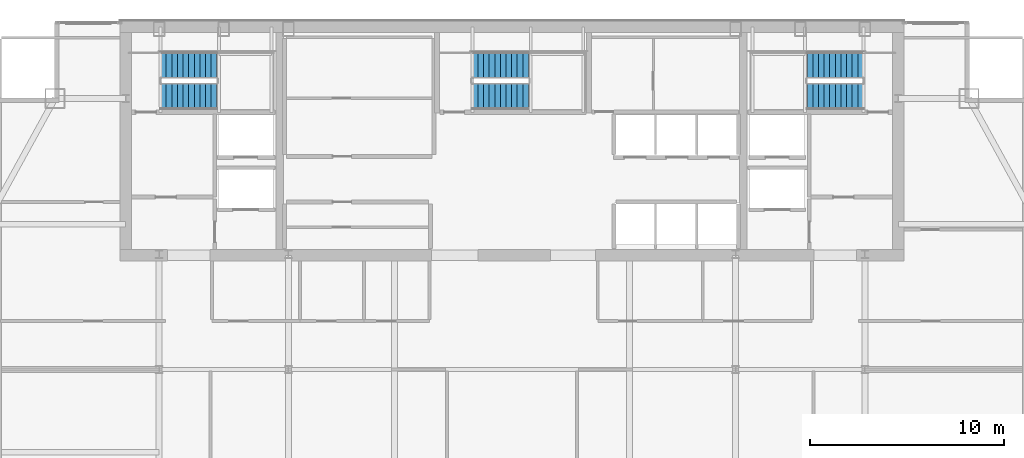
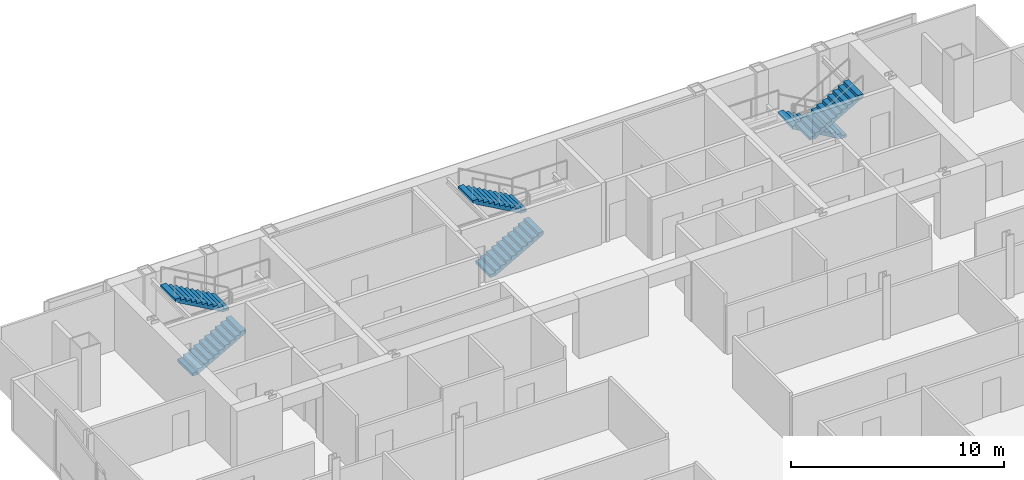
# One storey, part 27 of 29: 6 stair flights, 3 elements without a shape of their own.
"""IFC4 building model written with IfcOpenShell, lengths in metres."""

from ifc_helpers import new_model, si_unit, direction, frame, origin, place, context, subcontext, project, spatial, polyline, outline, extrude, material, type_object, element, aggregate, save


model = new_model("IFC4")

# Units and contexts
model_context = context("Model", 3, precision=1e-05, world=origin(), true_north=direction((0.0, 1.0)))
body_context = subcontext(model_context, "Body", "Model", "MODEL_VIEW")
ifc_project = project(units=[si_unit("LENGTHUNIT", "METRE"), si_unit("AREAUNIT", "SQUARE_METRE"), si_unit("VOLUMEUNIT", "CUBIC_METRE"), si_unit("PLANEANGLEUNIT", "RADIAN"), si_unit("MASSUNIT", "GRAM", prefix="KILO")], contexts=[model_context])

# Site, building, storey
site_placement = place(None, origin())
site = spatial("IfcSite", under=ifc_project, at=site_placement, CompositionType="ELEMENT")
building_placement = place(site_placement, origin())
building = spatial("IfcBuilding", under=site, at=building_placement, Name="Khoronbel Lancet Exchange", CompositionType="ELEMENT")
storey_placement = place(building_placement, frame((0.0, 0.0, 242.60009765625)))
storey = spatial("IfcBuildingStorey", under=building, at=storey_placement, Name="L62", CompositionType="ELEMENT", Elevation=242.60009765625)

# Stair, stair flights
ifc_material = material(Name="Concrete C40/50", Category="concrete")
stair_type = type_object("IfcStairType", Name="STR-CORE150", PredefinedType="HALF_TURN_STAIR", material=ifc_material)
stair_1_placement = place(storey_placement, origin())
stair_1 = element("IfcStair", 1, at=stair_1_placement, inside=storey, type_object=stair_type, Name="L62 Protected Exit Stair ST1", PredefinedType="HALF_TURN_STAIR")
stair_flight_type = type_object("IfcStairFlightType", Name="STF-150", PredefinedType="STRAIGHT", material=ifc_material)
stair_flight_1_placement = place(storey_placement, frame((18.300048828125, 49.81005859375, 0.0), z_axis=(0.0, 0.0, 1.0), x_axis=(1.0, 0.0, 0.0)))
stair_flight_1 = element("IfcStairFlight", 2, at=stair_flight_1_placement, type_object=stair_flight_type, Name="ST1 flight 1", NumberOfRisers=11, NumberOfTreads=10, PredefinedType="STRAIGHT", RiserHeight=0.163636364, TreadLength=0.29, context=body_context, shape_type="SweptSolid", body=[
    extrude(outline(polyline([(0.0, 0.0), (0.0, 0.16357421875), (0.2900390625, 0.16357421875), (0.2900390625, 0.327392578125), (0.580078125, 0.327392578125), (0.580078125, 0.490966796875), (0.8701171875, 0.490966796875), (0.8701171875, 0.654541015625), (1.159912109375, 0.654541015625), (1.159912109375, 0.818115234375), (1.449951171875, 0.818115234375), (1.449951171875, 0.98193359375), (1.739990234375, 0.98193359375), (1.739990234375, 1.1455078125), (2.030029296875, 1.1455078125), (2.030029296875, 1.30908203125), (2.320068359375, 1.30908203125), (2.320068359375, 1.47265625), (2.610107421875, 1.47265625), (2.610107421875, 1.636474609375), (2.89990234375, 1.636474609375), (2.89990234375, 1.800048828125), (2.89990234375, 1.46435546875), (0.304931640625, 0.0), (0.0, 0.0)])), frame((0.0, 0.68994140625, 0.0), z_axis=(0.0, -1.0, 0.0), x_axis=(1.0, 0.0, 0.0)), (0.0, 0.0, 1.0), 1.3798828125),
])
stair_flight_2_placement = place(storey_placement, frame((21.199951171875, 51.409912109375, 1.7998046875), z_axis=(0.0, 0.0, 1.0), x_axis=(-1.0, 0.0, 0.0)))
stair_flight_2 = element("IfcStairFlight", 3, at=stair_flight_2_placement, type_object=stair_flight_type, Name="ST1 flight 2", NumberOfRisers=11, NumberOfTreads=10, PredefinedType="STRAIGHT", RiserHeight=0.163636364, TreadLength=0.29, context=body_context, shape_type="SweptSolid", body=[
    extrude(outline(polyline([(0.0, 0.0), (0.0, 0.16357421875), (0.2900390625, 0.16357421875), (0.2900390625, 0.327392578125), (0.580078125, 0.327392578125), (0.580078125, 0.490966796875), (0.8701171875, 0.490966796875), (0.8701171875, 0.654541015625), (1.159912109375, 0.654541015625), (1.159912109375, 0.818115234375), (1.449951171875, 0.818115234375), (1.449951171875, 0.98193359375), (1.739990234375, 0.98193359375), (1.739990234375, 1.1455078125), (2.030029296875, 1.1455078125), (2.030029296875, 1.30908203125), (2.320068359375, 1.30908203125), (2.320068359375, 1.47265625), (2.610107421875, 1.47265625), (2.610107421875, 1.636474609375), (2.89990234375, 1.636474609375), (2.89990234375, 1.800048828125), (2.89990234375, 1.46435546875), (0.304931640625, 0.0), (0.0, 0.0)])), frame((0.0, 0.68994140625, 0.0), z_axis=(0.0, -1.0, 0.0), x_axis=(1.0, 0.0, 0.0)), (0.0, 0.0, 1.0), 1.3798828125),
])
aggregate(stair_1, [stair_flight_1, stair_flight_2])

stair_2_placement = place(storey_placement, origin())
stair_2 = element("IfcStair", 4, at=stair_2_placement, inside=storey, type_object=stair_type, Name="L62 Protected Exit Stair ST2", PredefinedType="HALF_TURN_STAIR")
stair_flight_3_placement = place(storey_placement, frame((54.60009765625, 51.409912109375, 0.0), z_axis=(0.0, 0.0, 1.0), x_axis=(-1.0, 0.0, 0.0)))
stair_flight_3 = element("IfcStairFlight", 5, at=stair_flight_3_placement, type_object=stair_flight_type, Name="ST2 flight 1", NumberOfRisers=11, NumberOfTreads=10, PredefinedType="STRAIGHT", RiserHeight=0.163636364, TreadLength=0.29, context=body_context, shape_type="SweptSolid", body=[
    extrude(outline(polyline([(0.0, 0.0), (0.0, 0.16357421875), (0.2900390625, 0.16357421875), (0.2900390625, 0.327392578125), (0.580078125, 0.327392578125), (0.580078125, 0.490966796875), (0.8701171875, 0.490966796875), (0.8701171875, 0.654541015625), (1.159912109375, 0.654541015625), (1.159912109375, 0.818115234375), (1.449951171875, 0.818115234375), (1.449951171875, 0.98193359375), (1.739990234375, 0.98193359375), (1.739990234375, 1.1455078125), (2.030029296875, 1.1455078125), (2.030029296875, 1.30908203125), (2.320068359375, 1.30908203125), (2.320068359375, 1.47265625), (2.610107421875, 1.47265625), (2.610107421875, 1.636474609375), (2.89990234375, 1.636474609375), (2.89990234375, 1.800048828125), (2.89990234375, 1.46435546875), (0.304931640625, 0.0), (0.0, 0.0)])), frame((0.0, 0.68994140625, 0.0), z_axis=(0.0, -1.0, 0.0), x_axis=(1.0, 0.0, 0.0)), (0.0, 0.0, 1.0), 1.3798828125),
])
stair_flight_4_placement = place(storey_placement, frame((51.699951171875, 49.81005859375, 1.7998046875), z_axis=(0.0, 0.0, 1.0), x_axis=(1.0, 0.0, 0.0)))
stair_flight_4 = element("IfcStairFlight", 6, at=stair_flight_4_placement, type_object=stair_flight_type, Name="ST2 flight 2", NumberOfRisers=11, NumberOfTreads=10, PredefinedType="STRAIGHT", RiserHeight=0.163636364, TreadLength=0.29, context=body_context, shape_type="SweptSolid", body=[
    extrude(outline(polyline([(0.0, 0.0), (0.0, 0.16357421875), (0.2900390625, 0.16357421875), (0.2900390625, 0.327392578125), (0.580078125, 0.327392578125), (0.580078125, 0.490966796875), (0.8701171875, 0.490966796875), (0.8701171875, 0.654541015625), (1.159912109375, 0.654541015625), (1.159912109375, 0.818115234375), (1.449951171875, 0.818115234375), (1.449951171875, 0.98193359375), (1.739990234375, 0.98193359375), (1.739990234375, 1.1455078125), (2.030029296875, 1.1455078125), (2.030029296875, 1.30908203125), (2.320068359375, 1.30908203125), (2.320068359375, 1.47265625), (2.610107421875, 1.47265625), (2.610107421875, 1.636474609375), (2.89990234375, 1.636474609375), (2.89990234375, 1.800048828125), (2.89990234375, 1.46435546875), (0.304931640625, 0.0), (0.0, 0.0)])), frame((0.0, 0.68994140625, 0.0), z_axis=(0.0, -1.0, 0.0), x_axis=(1.0, 0.0, 0.0)), (0.0, 0.0, 1.0), 1.3798828125),
])
aggregate(stair_2, [stair_flight_3, stair_flight_4])

stair_3_placement = place(storey_placement, origin())
stair_3 = element("IfcStair", 7, at=stair_3_placement, inside=storey, type_object=stair_type, Name="L62 Protected Exit Stair ST3", PredefinedType="HALF_TURN_STAIR")
stair_flight_5_placement = place(storey_placement, frame((34.39990234375, 49.81005859375, 0.0), z_axis=(0.0, 0.0, 1.0), x_axis=(1.0, 0.0, 0.0)))
stair_flight_5 = element("IfcStairFlight", 8, at=stair_flight_5_placement, type_object=stair_flight_type, Name="ST3 flight 1", NumberOfRisers=11, NumberOfTreads=10, PredefinedType="STRAIGHT", RiserHeight=0.163636364, TreadLength=0.29, context=body_context, shape_type="SweptSolid", body=[
    extrude(outline(polyline([(0.0, 0.0), (0.0, 0.16357421875), (0.2900390625, 0.16357421875), (0.2900390625, 0.327392578125), (0.580078125, 0.327392578125), (0.580078125, 0.490966796875), (0.8701171875, 0.490966796875), (0.8701171875, 0.654541015625), (1.159912109375, 0.654541015625), (1.159912109375, 0.818115234375), (1.449951171875, 0.818115234375), (1.449951171875, 0.98193359375), (1.739990234375, 0.98193359375), (1.739990234375, 1.1455078125), (2.030029296875, 1.1455078125), (2.030029296875, 1.30908203125), (2.320068359375, 1.30908203125), (2.320068359375, 1.47265625), (2.610107421875, 1.47265625), (2.610107421875, 1.636474609375), (2.89990234375, 1.636474609375), (2.89990234375, 1.800048828125), (2.89990234375, 1.46435546875), (0.304931640625, 0.0), (0.0, 0.0)])), frame((0.0, 0.68994140625, 0.0), z_axis=(0.0, -1.0, 0.0), x_axis=(1.0, 0.0, 0.0)), (0.0, 0.0, 1.0), 1.3798828125),
])
stair_flight_6_placement = place(storey_placement, frame((37.300048828125, 51.409912109375, 1.7998046875), z_axis=(0.0, 0.0, 1.0), x_axis=(-1.0, 0.0, 0.0)))
stair_flight_6 = element("IfcStairFlight", 9, at=stair_flight_6_placement, type_object=stair_flight_type, Name="ST3 flight 2", NumberOfRisers=11, NumberOfTreads=10, PredefinedType="STRAIGHT", RiserHeight=0.163636364, TreadLength=0.29, context=body_context, shape_type="SweptSolid", body=[
    extrude(outline(polyline([(0.0, 0.0), (0.0, 0.16357421875), (0.2900390625, 0.16357421875), (0.2900390625, 0.327392578125), (0.580078125, 0.327392578125), (0.580078125, 0.490966796875), (0.8701171875, 0.490966796875), (0.8701171875, 0.654541015625), (1.159912109375, 0.654541015625), (1.159912109375, 0.818115234375), (1.449951171875, 0.818115234375), (1.449951171875, 0.98193359375), (1.739990234375, 0.98193359375), (1.739990234375, 1.1455078125), (2.030029296875, 1.1455078125), (2.030029296875, 1.30908203125), (2.320068359375, 1.30908203125), (2.320068359375, 1.47265625), (2.610107421875, 1.47265625), (2.610107421875, 1.636474609375), (2.89990234375, 1.636474609375), (2.89990234375, 1.800048828125), (2.89990234375, 1.46435546875), (0.304931640625, 0.0), (0.0, 0.0)])), frame((0.0, 0.68994140625, 0.0), z_axis=(0.0, -1.0, 0.0), x_axis=(1.0, 0.0, 0.0)), (0.0, 0.0, 1.0), 1.3798828125),
])
aggregate(stair_3, [stair_flight_5, stair_flight_6])

save(model, "model.ifc")
